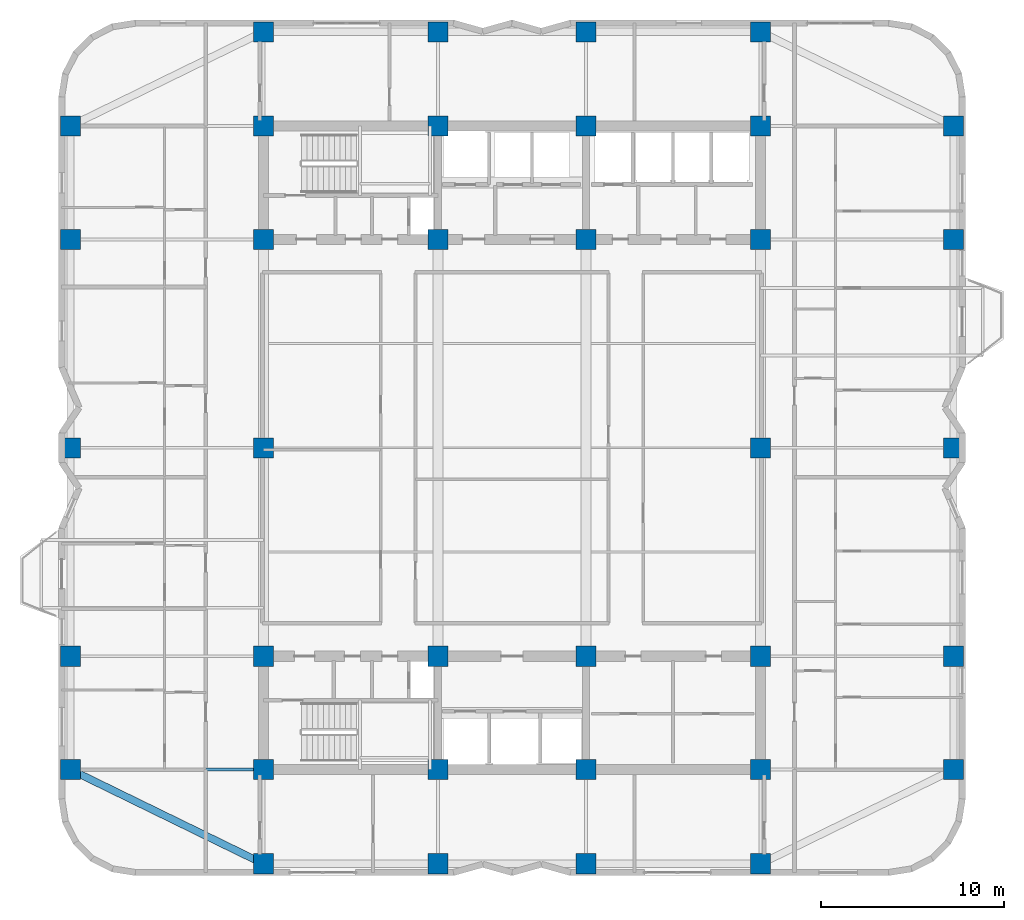
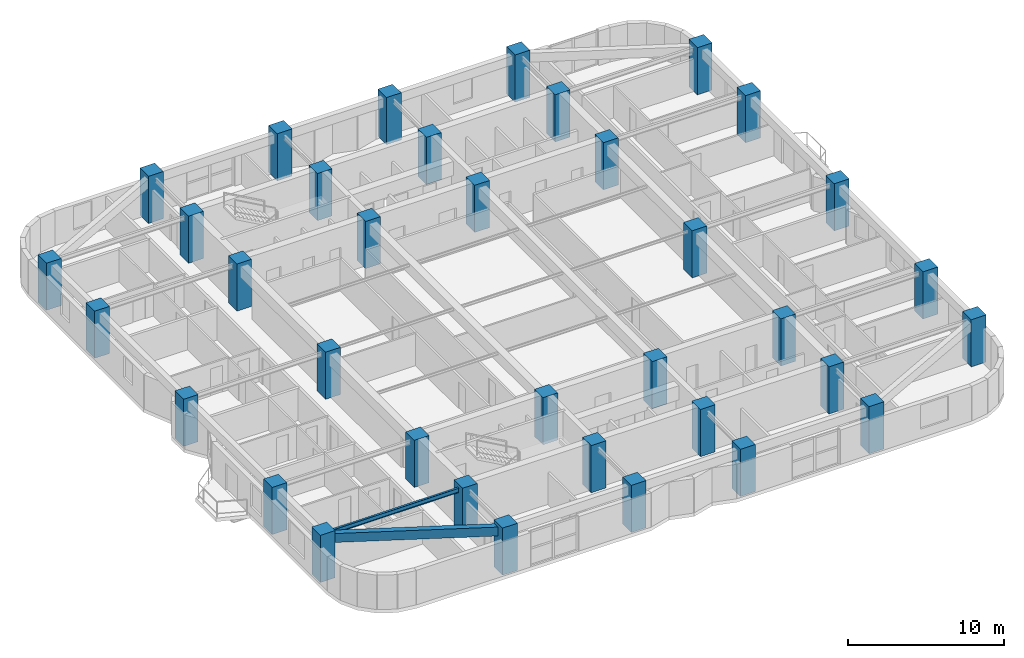
# One storey, part 1 of 15: 36 columns, 2 beams.
"""IFC4 building model written with IfcOpenShell, lengths in metres."""

from ifc_helpers import new_model, si_unit, direction, frame, origin, origin_2d, place, context, subcontext, project, spatial, rectangle, i_section, extrude, material, material_profile, profile_set, type_object, element, save


model = new_model("IFC4")

# Units and contexts
model_context = context("Model", 3, precision=1e-05, world=origin(), true_north=direction((0.0, 1.0)))
body_context = subcontext(model_context, "Body", "Model", "MODEL_VIEW")
ifc_project = project(units=[si_unit("LENGTHUNIT", "METRE"), si_unit("AREAUNIT", "SQUARE_METRE"), si_unit("VOLUMEUNIT", "CUBIC_METRE"), si_unit("PLANEANGLEUNIT", "RADIAN"), si_unit("MASSUNIT", "GRAM", prefix="KILO")], contexts=[model_context])

# Site, building, storey
site_placement = place(None, origin())
site = spatial("IfcSite", under=ifc_project, at=site_placement, CompositionType="ELEMENT")
building_placement = place(site_placement, origin())
building = spatial("IfcBuilding", under=site, at=building_placement, Name="Svetorya Sky Lyceum", CompositionType="ELEMENT")
storey_placement = place(building_placement, frame((0.0, 0.0, 99.39990234375)))
storey = spatial("IfcBuildingStorey", under=building, at=storey_placement, Name="L24", CompositionType="ELEMENT", Elevation=99.39990234375)

# Columns
ifc_material_1 = material(Name="Concrete C50/60", Category="concrete")
ifc_material_profile_1 = material_profile(ifc_material_1, rectangle(XDim=1.10009765625, YDim=1.10009765625, at=origin_2d()), Name="RC COL 1100x1100")
ifc_profile_set_1 = profile_set([ifc_material_profile_1], Name="Concrete C50/60")
column_type = type_object("IfcColumnType", Name="COL-RC-1100", PredefinedType="COLUMN", material=ifc_profile_set_1)
for number, where, z_axis, x_axis, name in (
    (1, (25.60009765625, 10.60009765625, 0.0), (0.0, 0.0, 1.0), (1.0, 0.0, 0.0), "L24 Core Column CS-11"),
    (2, (25.60009765625, 16.800048828125, 0.0), (0.0, 0.0, 1.0), (1.0, 0.0, 0.0), "L24 Core Column CS-12"),
    (3, (35.14990234375, 10.60009765625, 0.0), (0.0, 0.0, 1.0), (1.0, 0.0, 0.0), "L24 Core Column CS-21"),
    (4, (35.14990234375, 16.800048828125, 0.0), (0.0, 0.0, 1.0), (1.0, 0.0, 0.0), "L24 Core Column CS-22"),
    (5, (43.25, 10.60009765625, 0.0), (0.0, 0.0, 1.0), (1.0, 0.0, 0.0), "L24 Core Column CS-31"),
    (6, (43.25, 16.800048828125, 0.0), (0.0, 0.0, 1.0), (1.0, 0.0, 0.0), "L24 Core Column CS-32"),
    (7, (52.800048828125, 10.60009765625, 0.0), (0.0, 0.0, 1.0), (1.0, 0.0, 0.0), "L24 Core Column CS-41"),
    (8, (52.800048828125, 16.800048828125, 0.0), (0.0, 0.0, 1.0), (1.0, 0.0, 0.0), "L24 Core Column CS-42"),
    (9, (25.60009765625, 39.60009765625, 0.0), (0.0, 0.0, 1.0), (1.0, 0.0, 0.0), "L24 Core Column CN-11"),
    (10, (25.60009765625, 45.800048828125, 0.0), (0.0, 0.0, 1.0), (1.0, 0.0, 0.0), "L24 Core Column CN-12"),
    (11, (35.14990234375, 39.60009765625, 0.0), (0.0, 0.0, 1.0), (1.0, 0.0, 0.0), "L24 Core Column CN-21"),
    (12, (35.14990234375, 45.800048828125, 0.0), (0.0, 0.0, 1.0), (1.0, 0.0, 0.0), "L24 Core Column CN-22"),
    (13, (43.25, 39.60009765625, 0.0), (0.0, 0.0, 1.0), (1.0, 0.0, 0.0), "L24 Core Column CN-31"),
    (14, (43.25, 45.800048828125, 0.0), (0.0, 0.0, 1.0), (1.0, 0.0, 0.0), "L24 Core Column CN-32"),
    (15, (52.800048828125, 39.60009765625, 0.0), (0.0, 0.0, 1.0), (1.0, 0.0, 0.0), "L24 Core Column CN-41"),
    (16, (52.800048828125, 45.800048828125, 0.0), (0.0, 0.0, 1.0), (1.0, 0.0, 0.0), "L24 Core Column CN-42"),
    (17, (25.60009765625, 28.199951171875, 0.0), (0.0, 0.0, 1.0), (1.0, 0.0, 0.0), "L24 Core Column CM-W"),
    (18, (52.800048828125, 28.199951171875, 0.0), (0.0, 0.0, 1.0), (1.0, 0.0, 0.0), "L24 Core Column CM-E"),
    (19, (25.60009765625, 5.449951171875, 0.0), (0.0, 0.0, 1.0), (1.0, 0.0, 0.0), "L24 Perimeter Column S1"),
    (20, (25.60009765625, 50.949951171875, 0.0), (0.0, 0.0, 1.0), (1.0, 0.0, 0.0), "L24 Perimeter Column N1"),
    (21, (35.14990234375, 5.449951171875, 0.0), (0.0, 0.0, 1.0), (1.0, 0.0, 0.0), "L24 Perimeter Column S2"),
    (22, (35.14990234375, 50.949951171875, 0.0), (0.0, 0.0, 1.0), (1.0, 0.0, 0.0), "L24 Perimeter Column N2"),
    (23, (43.25, 5.449951171875, 0.0), (0.0, 0.0, 1.0), (1.0, 0.0, 0.0), "L24 Perimeter Column S3"),
    (24, (43.25, 50.949951171875, 0.0), (0.0, 0.0, 1.0), (1.0, 0.0, 0.0), "L24 Perimeter Column N3"),
    (25, (52.800048828125, 5.449951171875, 0.0), (0.0, 0.0, 1.0), (1.0, 0.0, 0.0), "L24 Perimeter Column S4"),
    (26, (52.800048828125, 50.949951171875, 0.0), (0.0, 0.0, 1.0), (1.0, 0.0, 0.0), "L24 Perimeter Column N4"),
    (27, (15.050048828125, 10.60009765625, 0.0), (0.0, 0.0, 1.0), (1.0, 0.0, 0.0), "L24 Perimeter Column W1"),
    (28, (63.35009765625, 10.60009765625, 0.0), (0.0, 0.0, 1.0), (1.0, 0.0, 0.0), "L24 Perimeter Column E1"),
    (29, (15.050048828125, 16.800048828125, 0.0), (0.0, 0.0, 1.0), (1.0, 0.0, 0.0), "L24 Perimeter Column W2"),
    (30, (63.35009765625, 16.800048828125, 0.0), (0.0, 0.0, 1.0), (1.0, 0.0, 0.0), "L24 Perimeter Column E2"),
    (31, (15.050048828125, 28.199951171875, 0.0), (0.0, 0.0, 1.0), (1.0, 0.0, 0.0), "L24 Perimeter Column W3"),
    (32, (63.35009765625, 28.199951171875, 0.0), (0.0, 0.0, 1.0), (1.0, 0.0, 0.0), "L24 Perimeter Column E3"),
    (33, (15.050048828125, 39.60009765625, 0.0), (0.0, 0.0, 1.0), (1.0, 0.0, 0.0), "L24 Perimeter Column W4"),
    (34, (63.35009765625, 39.60009765625, 0.0), (0.0, 0.0, 1.0), (1.0, 0.0, 0.0), "L24 Perimeter Column E4"),
    (35, (15.050048828125, 45.800048828125, 0.0), (0.0, 0.0, 1.0), (1.0, 0.0, 0.0), "L24 Perimeter Column W5"),
    (36, (63.35009765625, 45.800048828125, 0.0), (0.0, 0.0, 1.0), (1.0, 0.0, 0.0), "L24 Perimeter Column E5"),
):
    element("IfcColumn", number, at=place(storey_placement, frame(where, z_axis=z_axis, x_axis=x_axis)), inside=storey, type_object=column_type, Name=name, PredefinedType="COLUMN", context=body_context, shape_type="SweptSolid", body=[
        extrude(rectangle(XDim=1.10009765625, YDim=1.10009765625, at=origin_2d()), origin(), (0.0, 0.0, 1.0), 3.7001953125),
    ])

# Beams
ifc_material_profile_2 = material_profile(ifc_material_1, rectangle(XDim=0.39990234375, YDim=0.699951171875, at=origin_2d()), Name="RC SPANDREL 400x700")
ifc_profile_set_2 = profile_set([ifc_material_profile_2], Name="Concrete C50/60")
beam_type_1 = type_object("IfcBeamType", Name="BM-SPN-700", PredefinedType="SPANDREL", material=ifc_profile_set_2)
beam_1_placement = place(storey_placement, frame((25.60009765625, 5.449951171875, 3.070068359375), z_axis=(-0.898641495694, 0.438683783854, 0.0), x_axis=(-0.438683783854, -0.898641495694, 0.0)))
element("IfcBeam", 37, at=beam_1_placement, inside=storey, type_object=beam_type_1, Name="L24 Corner Spandrel 1", PredefinedType="SPANDREL", context=body_context, shape_type="SweptSolid", body=[
    extrude(rectangle(XDim=0.39990234375, YDim=0.699951171875, at=origin_2d()), origin(), (0.0, 0.0, 1.0), 11.739990234375),
])
ifc_material_2 = material(Name="Steel S355", Category="steel")
ifc_material_profile_3 = material_profile(ifc_material_2, i_section(OverallWidth=0.155029296875, OverallDepth=0.34912109375, WebThickness=0.007080078125, FlangeThickness=0.011474609375, at=origin_2d()), Name="GOST 35B2")
ifc_profile_set_3 = profile_set([ifc_material_profile_3], Name="Steel S355")
beam_type_2 = type_object("IfcBeamType", Name="BM-STL-35B2", PredefinedType="JOIST", material=ifc_profile_set_3)
beam_2_placement = place(storey_placement, frame((15.050048828125, 10.60009765625, 3.24560546875), z_axis=(1.0, 0.0, 0.0), x_axis=(0.0, 1.0, 0.0)))
element("IfcBeam", 38, at=beam_2_placement, inside=storey, type_object=beam_type_2, Name="L24 West Wing Floor Joist W1", PredefinedType="JOIST", context=body_context, shape_type="SweptSolid", body=[
    extrude(i_section(OverallWidth=0.155029296875, OverallDepth=0.34912109375, WebThickness=0.007080078125, FlangeThickness=0.011474609375, at=origin_2d()), origin(), (0.0, 0.0, 1.0), 10.550048828125),
])

save(model, "model.ifc")
